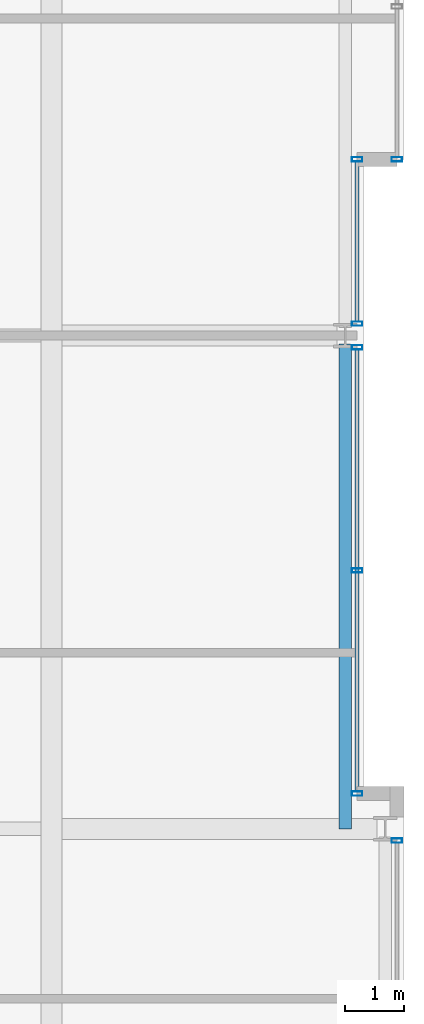
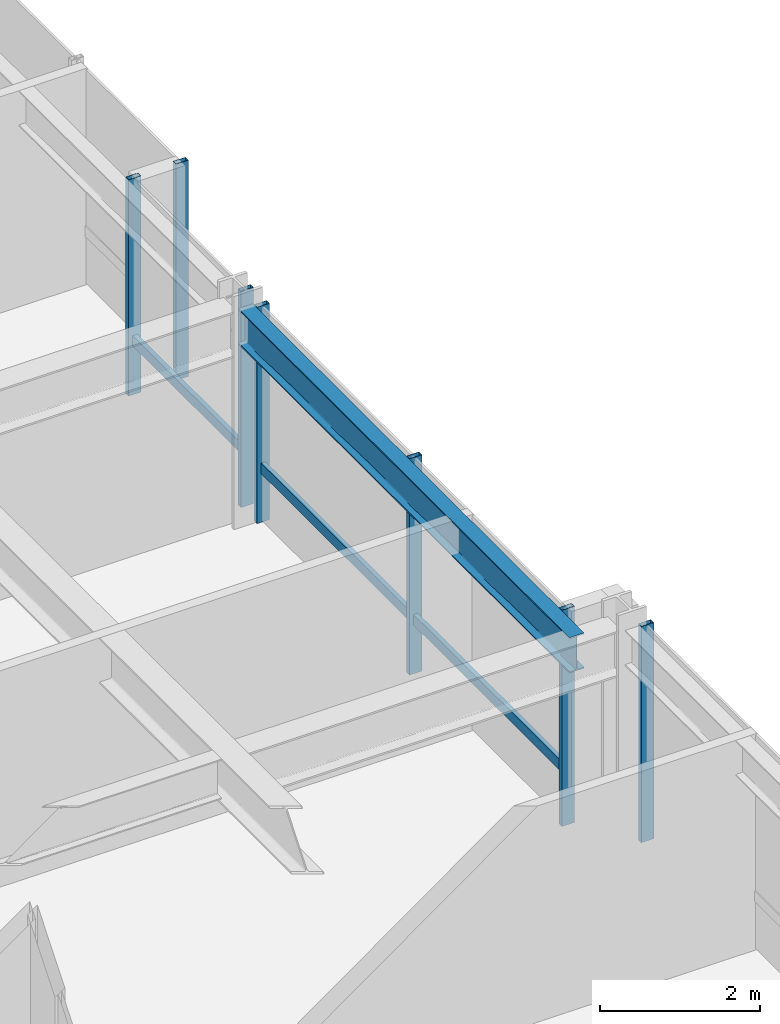
# One storey, part 15 of 32: 9 members, 1 beam, 4 elements without a shape of their own.
"""IFC4 building model written with IfcOpenShell, lengths in metres."""

from ifc_helpers import new_model, si_unit, direction, frame, origin, origin_2d, place, context, subcontext, project, spatial, hollow_rectangle, i_section, extrude, material, layer, layer_set, material_profile, profile_set, type_object, element, aggregate, save


model = new_model("IFC4")

# Units and contexts
model_context = context("Model", 3, precision=1e-05, world=origin(), true_north=direction((0.0, 1.0)))
body_context = subcontext(model_context, "Body", "Model", "MODEL_VIEW")
ifc_project = project(units=[si_unit("LENGTHUNIT", "METRE"), si_unit("AREAUNIT", "SQUARE_METRE"), si_unit("VOLUMEUNIT", "CUBIC_METRE"), si_unit("PLANEANGLEUNIT", "RADIAN"), si_unit("MASSUNIT", "GRAM", prefix="KILO")], contexts=[model_context])

# Site, building, storey
site_placement = place(None, origin())
site = spatial("IfcSite", under=ifc_project, at=site_placement, CompositionType="ELEMENT")
building_placement = place(site_placement, origin())
building = spatial("IfcBuilding", under=site, at=building_placement, Name="Drelvath Grand Hotel", CompositionType="ELEMENT")
storey_placement = place(building_placement, frame((0.0, 0.0, 157.5)))
storey = spatial("IfcBuildingStorey", under=building, at=storey_placement, Name="L40", CompositionType="ELEMENT", Elevation=157.5)

# Curtain wall, member
ifc_material_1 = material(Name="Brushed Pale-Silver Anodised Aluminium Frame", Category="aluminium")
ifc_layer = layer(ifc_material_1, 0.199951171875)
ifc_layer_set = layer_set([ifc_layer], Name="Brushed Pale-Silver Anodised Aluminium Frame")
curtain_wall_type = type_object("IfcCurtainWallType", Name="Stick Curtain Wall CW-04 Brushed Silver Upper-Mid", PredefinedType="NOTDEFINED", material=ifc_layer_set)
curtain_wall_1_placement = place(storey_placement, origin())
curtain_wall_1 = element("IfcCurtainWall", 1, at=curtain_wall_1_placement, inside=storey, type_object=curtain_wall_type, Name="L40 CW-04 Curtain Wall CW04-L40-EM1", PredefinedType="NOTDEFINED")
ifc_material_profile_1 = material_profile(ifc_material_1, hollow_rectangle(XDim=0.06494140625, YDim=0.159912109375, WallThickness=0.00390625, at=origin_2d()), Name="HSS160X65X4")
ifc_profile_set_1 = profile_set([ifc_material_profile_1], Name="Brushed Pale-Silver Anodised Aluminium Frame")
member_type_1 = type_object("IfcMemberType", Name="Curtain Wall Horizontal Transom CW-04 HSS160X65X4", PredefinedType="USERDEFINED", material=ifc_profile_set_1)
member_1_placement = place(storey_placement, frame((21.39990234375, 26.760009765625, 0.822509765625), z_axis=(0.0, -1.0, 0.0), x_axis=(1.0, 0.0, 0.0)))
member_1 = element("IfcMember", 2, at=member_1_placement, type_object=member_type_1, Name="CW04-L40-EM1 Sill Transom", ObjectType="TRANSOM", PredefinedType="USERDEFINED", context=body_context, shape_type="SweptSolid", body=[
    extrude(hollow_rectangle(XDim=0.06494140625, YDim=0.159912109375, WallThickness=0.00390625, at=origin_2d()), origin(), (0.0, 0.0, 1.0), 7.52001953125),
])

curtain_wall_2_placement = place(storey_placement, origin())
curtain_wall_2 = element("IfcCurtainWall", 3, at=curtain_wall_2_placement, inside=storey, type_object=curtain_wall_type, Name="L40 CW-04 Curtain Wall CW04-L40-EM2", PredefinedType="NOTDEFINED")
member_2_placement = place(storey_placement, frame((21.39990234375, 29.9599609375, 0.822509765625), z_axis=(0.0, -1.0, 0.0), x_axis=(1.0, 0.0, 0.0)))
member_2 = element("IfcMember", 4, at=member_2_placement, type_object=member_type_1, Name="CW04-L40-EM2 Sill Transom", ObjectType="TRANSOM", PredefinedType="USERDEFINED", context=body_context, shape_type="SweptSolid", body=[
    extrude(hollow_rectangle(XDim=0.06494140625, YDim=0.159912109375, WallThickness=0.00390625, at=origin_2d()), origin(), (0.0, 0.0, 1.0), 2.719970703125),
])

curtain_wall_3_placement = place(storey_placement, origin())
curtain_wall_3 = element("IfcCurtainWall", 5, at=curtain_wall_3_placement, inside=storey, type_object=curtain_wall_type, Name="L40 CW-04 Curtain Wall CW04-L40-EN1", PredefinedType="NOTDEFINED")
ifc_material_profile_2 = material_profile(ifc_material_1, hollow_rectangle(XDim=0.074951171875, YDim=0.179931640625, WallThickness=0.0048828125, at=origin_2d()), Name="HSS180X75X5")
ifc_profile_set_2 = profile_set([ifc_material_profile_2], Name="Brushed Pale-Silver Anodised Aluminium Frame")
member_type_2 = type_object("IfcMemberType", Name="Curtain Wall Vertical Mullion CW-04 HSS180X75X5", PredefinedType="MULLION", material=ifc_profile_set_2)
member_3_placement = place(storey_placement, frame((22.080078125, 30.0, 0.0), z_axis=(0.0, 0.0, 1.0), x_axis=(0.0, 1.0, 0.0)))
member_3 = element("IfcMember", 6, at=member_3_placement, type_object=member_type_2, Name="CW04-L40-EN1 Mullion 3", PredefinedType="MULLION", context=body_context, shape_type="SweptSolid", body=[
    extrude(hollow_rectangle(XDim=0.074951171875, YDim=0.179931640625, WallThickness=0.0048828125, at=origin_2d()), origin(), (0.0, 0.0, 1.0), 3.2900390625),
])
aggregate(curtain_wall_3, [member_3])

# Member
member_4_placement = place(storey_placement, frame((21.39990234375, 26.7998046875, 0.0), z_axis=(0.0, 0.0, 1.0), x_axis=(0.0, 1.0, 0.0)))
member_4 = element("IfcMember", 7, at=member_4_placement, type_object=member_type_2, Name="CW04-L40-EM1 Mullion 1", PredefinedType="MULLION", context=body_context, shape_type="SweptSolid", body=[
    extrude(hollow_rectangle(XDim=0.074951171875, YDim=0.179931640625, WallThickness=0.0048828125, at=origin_2d()), origin(), (0.0, 0.0, 1.0), 3.2900390625),
])

member_5_placement = place(storey_placement, frame((21.39990234375, 23.0, 0.0), z_axis=(0.0, 0.0, 1.0), x_axis=(0.0, 1.0, 0.0)))
member_5 = element("IfcMember", 8, at=member_5_placement, type_object=member_type_2, Name="CW04-L40-EM1 Mullion 2", PredefinedType="MULLION", context=body_context, shape_type="SweptSolid", body=[
    extrude(hollow_rectangle(XDim=0.074951171875, YDim=0.179931640625, WallThickness=0.0048828125, at=origin_2d()), origin(), (0.0, 0.0, 1.0), 3.2900390625),
])

member_6_placement = place(storey_placement, frame((21.39990234375, 19.199951171875, 0.0), z_axis=(0.0, 0.0, 1.0), x_axis=(0.0, 1.0, 0.0)))
member_6 = element("IfcMember", 9, at=member_6_placement, type_object=member_type_2, Name="CW04-L40-EM1 Mullion 3", PredefinedType="MULLION", context=body_context, shape_type="SweptSolid", body=[
    extrude(hollow_rectangle(XDim=0.074951171875, YDim=0.179931640625, WallThickness=0.0048828125, at=origin_2d()), origin(), (0.0, 0.0, 1.0), 3.2900390625),
])

aggregate(curtain_wall_1, [member_4, member_5, member_6, member_1])

member_7_placement = place(storey_placement, frame((21.39990234375, 30.0, 0.0), z_axis=(0.0, 0.0, 1.0), x_axis=(0.0, 1.0, 0.0)))
member_7 = element("IfcMember", 10, at=member_7_placement, type_object=member_type_2, Name="CW04-L40-EM2 Mullion 1", PredefinedType="MULLION", context=body_context, shape_type="SweptSolid", body=[
    extrude(hollow_rectangle(XDim=0.074951171875, YDim=0.179931640625, WallThickness=0.0048828125, at=origin_2d()), origin(), (0.0, 0.0, 1.0), 3.2900390625),
])

member_8_placement = place(storey_placement, frame((21.39990234375, 27.2001953125, 0.0), z_axis=(0.0, 0.0, 1.0), x_axis=(0.0, 1.0, 0.0)))
member_8 = element("IfcMember", 11, at=member_8_placement, type_object=member_type_2, Name="CW04-L40-EM2 Mullion 2", PredefinedType="MULLION", context=body_context, shape_type="SweptSolid", body=[
    extrude(hollow_rectangle(XDim=0.074951171875, YDim=0.179931640625, WallThickness=0.0048828125, at=origin_2d()), origin(), (0.0, 0.0, 1.0), 3.2900390625),
])

aggregate(curtain_wall_2, [member_7, member_8, member_2])

# Curtain wall, member
curtain_wall_4_placement = place(storey_placement, origin())
curtain_wall_4 = element("IfcCurtainWall", 12, at=curtain_wall_4_placement, inside=storey, type_object=curtain_wall_type, Name="L40 CW-04 Curtain Wall CW04-L40-ES2", PredefinedType="NOTDEFINED")
member_9_placement = place(storey_placement, frame((22.080078125, 18.39990234375, 0.0), z_axis=(0.0, 0.0, 1.0), x_axis=(0.0, 1.0, 0.0)))
member_9 = element("IfcMember", 13, at=member_9_placement, type_object=member_type_2, Name="CW04-L40-ES2 Mullion 1", PredefinedType="MULLION", context=body_context, shape_type="SweptSolid", body=[
    extrude(hollow_rectangle(XDim=0.074951171875, YDim=0.179931640625, WallThickness=0.0048828125, at=origin_2d()), origin(), (0.0, 0.0, 1.0), 3.2900390625),
])
aggregate(curtain_wall_4, [member_9])

# Beam
ifc_material_2 = material(Name="Steel ASTM A992 Gr 50", Category="steel")
ifc_material_profile_3 = material_profile(ifc_material_2, i_section(OverallWidth=0.210205078125, OverallDepth=0.53662109375, WebThickness=0.010986328125, FlangeThickness=0.017333984375, FilletRadius=0.01806640625, at=origin_2d()), Name="W21X68")
ifc_profile_set_3 = profile_set([ifc_material_profile_3], Name="Steel ASTM A992 Gr 50")
beam_type = type_object("IfcBeamType", Name="Perimeter Spandrel Beam W21X68", PredefinedType="SPANDREL", material=ifc_profile_set_3)
beam_placement = place(storey_placement, frame((21.199951171875, 18.60009765625, 3.021484375), z_axis=(0.0, 1.0, 0.0), x_axis=(-1.0, 0.0, 0.0)))
element("IfcBeam", 14, at=beam_placement, inside=storey, type_object=beam_type, Name="L40 Spandrel East Mid S", PredefinedType="SPANDREL", context=body_context, shape_type="SweptSolid", body=[
    extrude(i_section(OverallWidth=0.210205078125, OverallDepth=0.53662109375, WebThickness=0.010986328125, FlangeThickness=0.017333984375, FilletRadius=0.01806640625, at=origin_2d()), origin(), (0.0, 0.0, 1.0), 8.260009765625),
])

save(model, "model.ifc")
